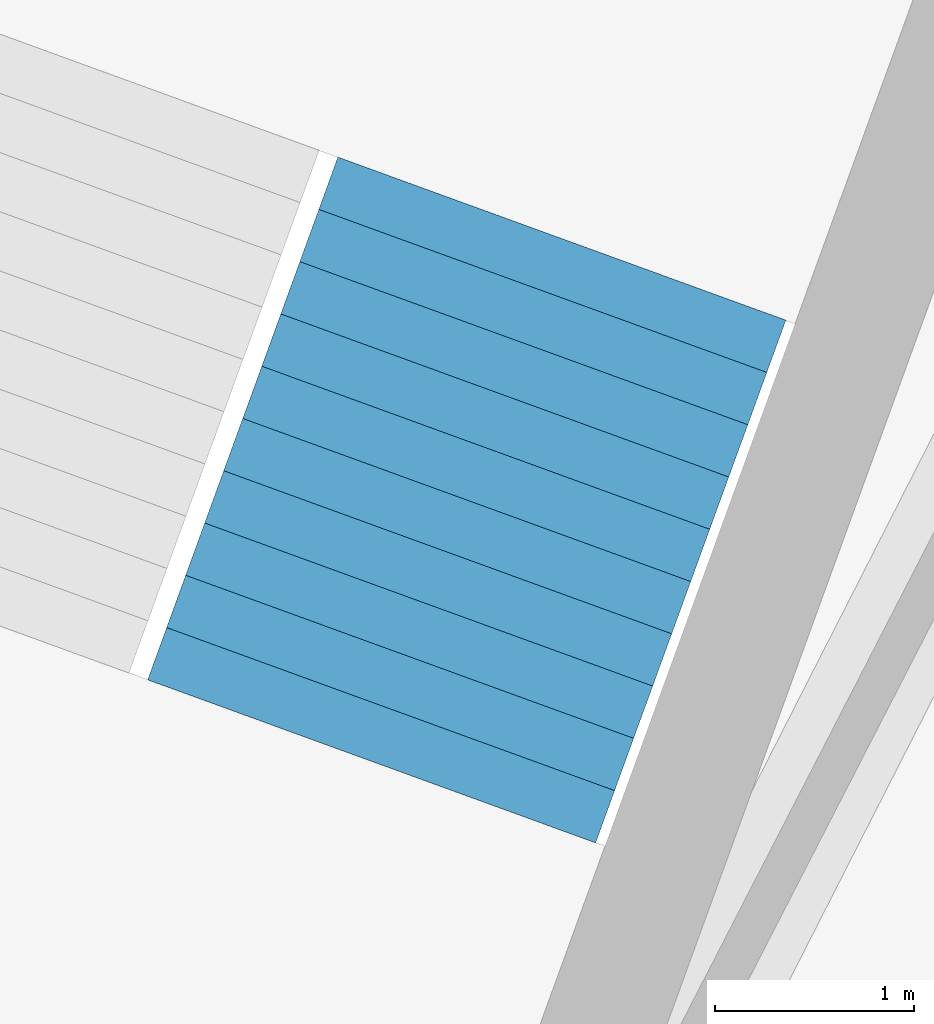
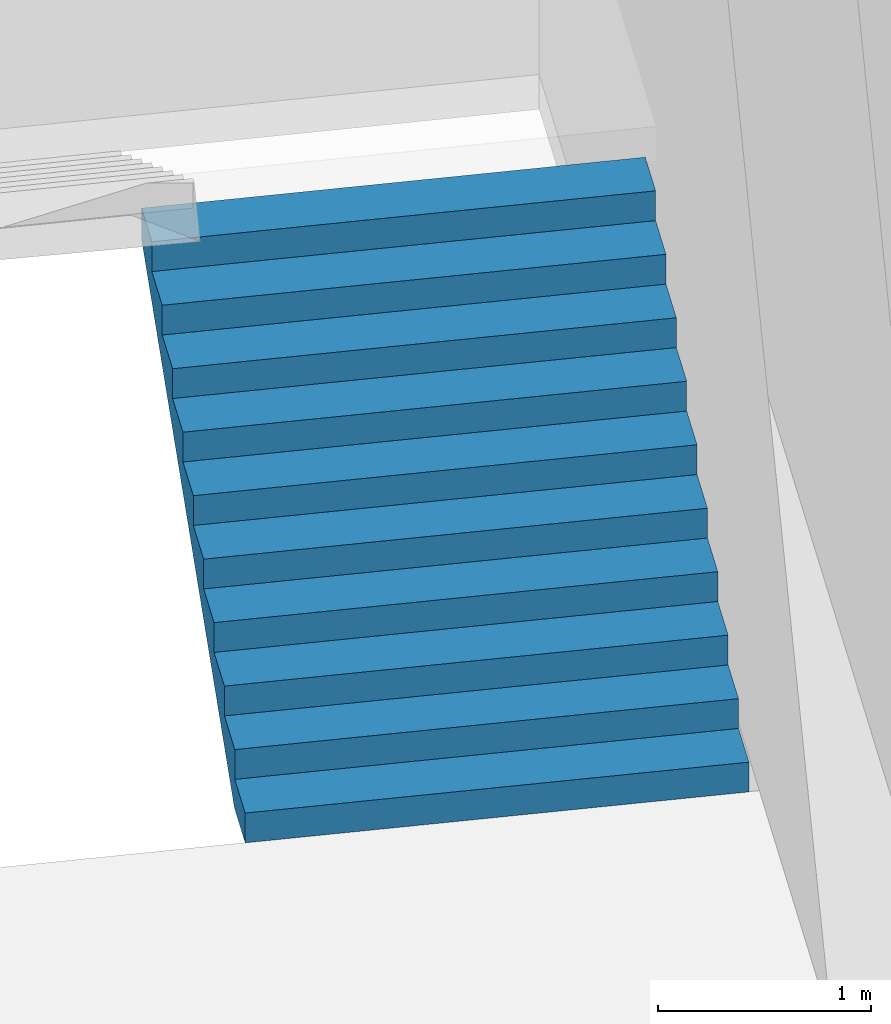
# One storey, part 45 of 73: 1 stair flight, 1 element without a shape of its own.
"""IFC4 building model written with IfcOpenShell, lengths in metres."""

from ifc_helpers import new_model, si_unit, direction, frame, origin, place, context, subcontext, project, spatial, triangles, material, type_object, element, aggregate, save


model = new_model("IFC4")

# Units and contexts
model_context = context("Model", 3, precision=1e-05, world=origin(), true_north=direction((0.0, 1.0)))
body_context = subcontext(model_context, "Body", "Model", "MODEL_VIEW")
ifc_project = project(units=[si_unit("LENGTHUNIT", "METRE"), si_unit("AREAUNIT", "SQUARE_METRE"), si_unit("VOLUMEUNIT", "CUBIC_METRE"), si_unit("PLANEANGLEUNIT", "RADIAN"), si_unit("MASSUNIT", "GRAM", prefix="KILO")], contexts=[model_context])

# Site, building, storey
site_placement = place(None, origin())
site = spatial("IfcSite", under=ifc_project, at=site_placement, CompositionType="ELEMENT")
building_placement = place(site_placement, origin())
building = spatial("IfcBuilding", under=site, at=building_placement, Name="Lantaw Convention Tower", CompositionType="ELEMENT")
storey_placement = place(building_placement, frame((0.0, 0.0, 14.5)))
storey = spatial("IfcBuildingStorey", under=building, at=storey_placement, Name="L02", CompositionType="ELEMENT", Elevation=14.5)

# Stair, stair flight
ifc_material = material(Name="Concrete C35/45", Category="concrete")
stair_type = type_object("IfcStairType", Name="Exit stair 2400 riser 170.45 in 4 flights", PredefinedType="HALF_TURN_STAIR", material=ifc_material)
stair_placement = place(storey_placement, origin())
stair = element("IfcStair", 1, at=stair_placement, inside=storey, type_object=stair_type, Name="Podium exit stair P5 L02", PredefinedType="HALF_TURN_STAIR")
stair_flight_type = type_object("IfcStairFlightType", Name="Stair flight 2400 riser 170.45", PredefinedType="STRAIGHT", material=ifc_material)
stair_flight_placement = place(storey_placement, frame((10.476318359375, 25.128662109375, 0.0), z_axis=(0.0, 0.0, 1.0), x_axis=(0.342020143326, 0.939692620786, 0.0)))
stair_flight = element("IfcStairFlight", 2, at=stair_flight_placement, type_object=stair_flight_type, Name="P5 flight 1", NumberOfRisers=11, NumberOfTreads=10, PredefinedType="STRAIGHT", RiserHeight=0.170454545, TreadLength=0.28, context=body_context, shape_type="Tessellation", body=[
    triangles([(0.0, 1.199951171875, 0.0), (0.0, 1.199951171875, 0.170454545), (0.28, 1.199951171875, 0.0), (0.28, 1.199951171875, 0.170454545), (0.28, 1.199951171875, 0.34090909), (0.28827876332691904, 1.199951171875, 0.0), (0.28827876332691904, 1.199951171875, 0.34090909), (0.56, 1.199951171875, 0.16541471344266906), (0.56, 1.199951171875, 0.34090909), (0.56, 1.199951171875, 0.511363635), (0.8400000000000001, 1.199951171875, 0.335869258442669), (0.8400000000000001, 1.199951171875, 0.511363635), (0.8400000000000001, 1.199951171875, 0.68181818), (1.12, 1.199951171875, 0.506323803442669), (1.12, 1.199951171875, 0.68181818), (1.12, 1.199951171875, 0.8522727250000001), (1.4000000000000001, 1.199951171875, 0.676778348442669), (1.4000000000000001, 1.199951171875, 0.8522727250000001), (1.4000000000000001, 1.199951171875, 1.02272727), (1.6800000000000002, 1.199951171875, 0.847232893442669), (1.6800000000000002, 1.199951171875, 1.02272727), (1.6800000000000002, 1.199951171875, 1.193181815), (1.9600000000000002, 1.199951171875, 1.017687438442669), (1.9600000000000002, 1.199951171875, 1.193181815), (1.9600000000000002, 1.199951171875, 1.36363636), (2.24, 1.199951171875, 1.188141983442669), (2.24, 1.199951171875, 1.36363636), (2.24, 1.199951171875, 1.5340909050000002), (2.5200000000000005, 1.199951171875, 1.358596528442669), (2.5200000000000005, 1.199951171875, 1.5340909050000002), (2.5200000000000005, 1.199951171875, 1.7045454500000001), (2.8000000000000003, 1.199951171875, 1.529051073442669), (2.8000000000000003, 1.199951171875, 1.7045454500000001), (0.0, -1.199951171875, 0.0), (0.0, -1.199951171875, 0.170454545), (0.28, -1.199951171875, 0.0), (0.28, -1.199951171875, 0.170454545), (0.28, -1.199951171875, 0.34090909), (0.28827876332691904, -1.199951171875, 0.0), (0.28827876332691904, -1.199951171875, 0.34090909), (0.56, -1.199951171875, 0.16541471344266906), (0.56, -1.199951171875, 0.34090909), (0.56, -1.199951171875, 0.511363635), (0.8400000000000001, -1.199951171875, 0.335869258442669), (0.8400000000000001, -1.199951171875, 0.511363635), (0.8400000000000001, -1.199951171875, 0.68181818), (1.12, -1.199951171875, 0.506323803442669), (1.12, -1.199951171875, 0.68181818), (1.12, -1.199951171875, 0.8522727250000001), (1.4000000000000001, -1.199951171875, 0.676778348442669), (1.4000000000000001, -1.199951171875, 0.8522727250000001), (1.4000000000000001, -1.199951171875, 1.02272727), (1.6800000000000002, -1.199951171875, 0.847232893442669), (1.6800000000000002, -1.199951171875, 1.02272727), (1.6800000000000002, -1.199951171875, 1.193181815), (1.9600000000000002, -1.199951171875, 1.017687438442669), (1.9600000000000002, -1.199951171875, 1.193181815), (1.9600000000000002, -1.199951171875, 1.36363636), (2.24, -1.199951171875, 1.188141983442669), (2.24, -1.199951171875, 1.36363636), (2.24, -1.199951171875, 1.5340909050000002), (2.5200000000000005, -1.199951171875, 1.358596528442669), (2.5200000000000005, -1.199951171875, 1.5340909050000002), (2.5200000000000005, -1.199951171875, 1.7045454500000001), (2.8000000000000003, -1.199951171875, 1.529051073442669), (2.8000000000000003, -1.199951171875, 1.7045454500000001), (0.0, 0.239990234375, 0.170454545), (0.0, 0.239990234375, 0.0), (0.0, 0.1199951171875, 0.170454545), (0.0, 0.1199951171875, 0.0), (0.0, 0.0, 0.170454545), (0.0, 0.0, 0.0), (0.0, -0.1199951171875, 0.170454545), (0.0, -0.1199951171875, 0.0), (0.0, -0.239990234375, 0.170454545), (0.0, -0.239990234375, 0.0), (0.28, 0.239990234375, 0.34090909), (0.28, 0.239990234375, 0.170454545), (0.28, 0.1199951171875, 0.34090909), (0.28, 0.1199951171875, 0.170454545), (0.28, 0.0, 0.34090909), (0.28, 0.0, 0.170454545), (0.28, -0.1199951171875, 0.34090909), (0.28, -0.1199951171875, 0.170454545), (0.28, -0.239990234375, 0.34090909), (0.28, -0.239990234375, 0.170454545), (0.56, 0.239990234375, 0.511363635), (0.56, 0.239990234375, 0.34090909), (0.56, 0.1199951171875, 0.511363635), (0.56, 0.1199951171875, 0.34090909), (0.56, 0.0, 0.511363635), (0.56, 0.0, 0.34090909), (0.56, -0.1199951171875, 0.511363635), (0.56, -0.1199951171875, 0.34090909), (0.56, -0.239990234375, 0.511363635), (0.56, -0.239990234375, 0.34090909), (0.8400000000000001, 0.239990234375, 0.68181818), (0.8400000000000001, 0.239990234375, 0.511363635), (0.8400000000000001, 0.1199951171875, 0.68181818), (0.8400000000000001, 0.1199951171875, 0.511363635), (0.8400000000000001, 0.0, 0.68181818), (0.8400000000000001, 0.0, 0.511363635), (0.8400000000000001, -0.1199951171875, 0.68181818), (0.8400000000000001, -0.1199951171875, 0.511363635), (0.8400000000000001, -0.239990234375, 0.68181818), (0.8400000000000001, -0.239990234375, 0.511363635), (1.12, 0.239990234375, 0.8522727250000001), (1.12, 0.239990234375, 0.68181818), (1.12, 0.1199951171875, 0.8522727250000001), (1.12, 0.1199951171875, 0.68181818), (1.12, 0.0, 0.8522727250000001), (1.12, 0.0, 0.68181818), (1.12, -0.1199951171875, 0.8522727250000001), (1.12, -0.1199951171875, 0.68181818), (1.12, -0.239990234375, 0.8522727250000001), (1.12, -0.239990234375, 0.68181818), (1.4000000000000001, 0.239990234375, 1.02272727), (1.4000000000000001, 0.239990234375, 0.8522727250000001), (1.4000000000000001, 0.1199951171875, 1.02272727), (1.4000000000000001, 0.1199951171875, 0.8522727250000001), (1.4000000000000001, 0.0, 1.02272727), (1.4000000000000001, 0.0, 0.8522727250000001), (1.4000000000000001, -0.1199951171875, 1.02272727), (1.4000000000000001, -0.1199951171875, 0.8522727250000001), (1.4000000000000001, -0.239990234375, 1.02272727), (1.4000000000000001, -0.239990234375, 0.8522727250000001), (1.6800000000000002, 0.239990234375, 1.193181815), (1.6800000000000002, 0.239990234375, 1.02272727), (1.6800000000000002, 0.1199951171875, 1.193181815), (1.6800000000000002, 0.1199951171875, 1.02272727), (1.6800000000000002, 0.0, 1.193181815), (1.6800000000000002, 0.0, 1.02272727), (1.6800000000000002, -0.1199951171875, 1.193181815), (1.6800000000000002, -0.1199951171875, 1.02272727), (1.6800000000000002, -0.239990234375, 1.193181815), (1.6800000000000002, -0.239990234375, 1.02272727), (1.9600000000000002, 0.239990234375, 1.36363636), (1.9600000000000002, 0.239990234375, 1.193181815), (1.9600000000000002, 0.1199951171875, 1.36363636), (1.9600000000000002, 0.1199951171875, 1.193181815), (1.9600000000000002, 0.0, 1.36363636), (1.9600000000000002, 0.0, 1.193181815), (1.9600000000000002, -0.1199951171875, 1.36363636), (1.9600000000000002, -0.1199951171875, 1.193181815), (1.9600000000000002, -0.239990234375, 1.36363636), (1.9600000000000002, -0.239990234375, 1.193181815), (2.24, 0.239990234375, 1.5340909050000002), (2.24, 0.239990234375, 1.36363636), (2.24, 0.1199951171875, 1.5340909050000002), (2.24, 0.1199951171875, 1.36363636), (2.24, 0.0, 1.5340909050000002), (2.24, 0.0, 1.36363636), (2.24, -0.1199951171875, 1.5340909050000002), (2.24, -0.1199951171875, 1.36363636), (2.24, -0.239990234375, 1.5340909050000002), (2.24, -0.239990234375, 1.36363636), (2.5200000000000005, 0.239990234375, 1.7045454500000001), (2.5200000000000005, 0.239990234375, 1.5340909050000002), (2.5200000000000005, 0.1199951171875, 1.7045454500000001), (2.5200000000000005, 0.1199951171875, 1.5340909050000002), (2.5200000000000005, 0.0, 1.7045454500000001), (2.5200000000000005, 0.0, 1.5340909050000002), (2.5200000000000005, -0.1199951171875, 1.7045454500000001), (2.5200000000000005, -0.1199951171875, 1.5340909050000002), (2.5200000000000005, -0.239990234375, 1.7045454500000001), (2.5200000000000005, -0.239990234375, 1.5340909050000002), (0.28827876332691904, 0.239990234375, 0.34090909), (0.28827876332691904, 0.1199951171875, 0.34090909), (0.28827876332691904, 0.0, 0.34090909), (0.28827876332691904, -0.1199951171875, 0.34090909), (0.28827876332691904, -0.239990234375, 0.34090909), (2.8000000000000003, 0.239990234375, 1.7045454500000001), (2.8000000000000003, 0.1199951171875, 1.7045454500000001), (2.8000000000000003, 0.0, 1.7045454500000001), (2.8000000000000003, -0.1199951171875, 1.7045454500000001), (2.8000000000000003, -0.239990234375, 1.7045454500000001), (2.8000000000000003, 0.239990234375, 1.5290510734426692), (2.8000000000000003, 0.1199951171875, 1.5290510734426692), (2.8000000000000003, 0.0, 1.5290510734426692), (2.8000000000000003, -0.1199951171875, 1.5290510734426692), (2.8000000000000003, -0.239990234375, 1.5290510734426692), (2.5200000000000005, 0.239990234375, 1.358596528442669), (2.5200000000000005, 0.1199951171875, 1.358596528442669), (2.5200000000000005, 0.0, 1.358596528442669), (2.5200000000000005, -0.1199951171875, 1.358596528442669), (2.5200000000000005, -0.239990234375, 1.358596528442669), (2.24, 0.239990234375, 1.188141983442669), (2.24, 0.1199951171875, 1.188141983442669), (2.24, 0.0, 1.188141983442669), (2.24, -0.1199951171875, 1.188141983442669), (2.24, -0.239990234375, 1.188141983442669), (1.9600000000000002, 0.239990234375, 1.017687438442669), (1.9600000000000002, 0.1199951171875, 1.017687438442669), (1.9600000000000002, 0.0, 1.017687438442669), (1.9600000000000002, -0.1199951171875, 1.017687438442669), (1.9600000000000002, -0.239990234375, 1.017687438442669), (1.6800000000000002, 0.239990234375, 0.847232893442669), (1.6800000000000002, 0.1199951171875, 0.847232893442669), (1.6800000000000002, 0.0, 0.847232893442669), (1.6800000000000002, -0.1199951171875, 0.847232893442669), (1.6800000000000002, -0.239990234375, 0.847232893442669), (1.4000000000000001, 0.239990234375, 0.676778348442669), (1.4000000000000001, 0.1199951171875, 0.676778348442669), (1.4000000000000001, 0.0, 0.676778348442669), (1.4000000000000001, -0.1199951171875, 0.676778348442669), (1.4000000000000001, -0.239990234375, 0.676778348442669), (1.12, 0.239990234375, 0.506323803442669), (1.12, 0.1199951171875, 0.506323803442669), (1.12, 0.0, 0.506323803442669), (1.12, -0.1199951171875, 0.506323803442669), (1.12, -0.239990234375, 0.506323803442669), (0.8400000000000001, 0.239990234375, 0.335869258442669), (0.8400000000000001, 0.1199951171875, 0.335869258442669), (0.8400000000000001, 0.0, 0.335869258442669), (0.8400000000000001, -0.1199951171875, 0.335869258442669), (0.8400000000000001, -0.239990234375, 0.335869258442669), (0.56, 0.239990234375, 0.16541471344266906), (0.56, 0.1199951171875, 0.16541471344266906), (0.56, 0.0, 0.16541471344266906), (0.56, -0.1199951171875, 0.16541471344266906), (0.56, -0.239990234375, 0.16541471344266906), (0.28827876332691904, 0.239990234375, 0.0), (0.28827876332691904, 0.1199951171875, 0.0), (0.28827876332691904, 0.0, 0.0), (0.28827876332691904, -0.1199951171875, 0.0), (0.28827876332691904, -0.239990234375, 0.0), (0.28, 0.239990234375, 0.0), (0.28, 0.1199951171875, 0.0), (0.28, 0.0, 0.0), (0.28, -0.1199951171875, 0.0), (0.28, -0.239990234375, 0.0)], [[1, 4, 3], [1, 2, 4], [3, 4, 6], [4, 7, 6], [4, 5, 7], [6, 9, 8], [6, 7, 9], [8, 9, 11], [9, 12, 11], [9, 10, 12], [11, 12, 14], [12, 15, 14], [12, 13, 15], [14, 15, 17], [15, 18, 17], [15, 16, 18], [17, 18, 20], [18, 21, 20], [18, 19, 21], [20, 21, 23], [21, 24, 23], [21, 22, 24], [23, 24, 26], [24, 27, 26], [24, 25, 27], [26, 27, 29], [27, 30, 29], [27, 28, 30], [29, 30, 32], [30, 33, 32], [30, 31, 33], [34, 36, 37], [34, 37, 35], [36, 39, 37], [37, 39, 40], [37, 40, 38], [39, 41, 42], [39, 42, 40], [41, 44, 42], [42, 44, 45], [42, 45, 43], [44, 47, 45], [45, 47, 48], [45, 48, 46], [47, 50, 48], [48, 50, 51], [48, 51, 49], [50, 53, 51], [51, 53, 54], [51, 54, 52], [53, 56, 54], [54, 56, 57], [54, 57, 55], [56, 59, 57], [57, 59, 60], [57, 60, 58], [59, 62, 60], [60, 62, 63], [60, 63, 61], [62, 65, 63], [63, 65, 66], [63, 66, 64], [1, 67, 2], [1, 68, 67], [68, 69, 67], [68, 70, 69], [70, 71, 69], [70, 72, 71], [72, 73, 71], [72, 74, 73], [74, 75, 73], [74, 76, 75], [76, 35, 75], [76, 34, 35], [4, 77, 5], [4, 78, 77], [78, 79, 77], [78, 80, 79], [80, 81, 79], [80, 82, 81], [82, 83, 81], [82, 84, 83], [84, 85, 83], [84, 86, 85], [86, 38, 85], [86, 37, 38], [9, 87, 10], [9, 88, 87], [88, 89, 87], [88, 90, 89], [90, 91, 89], [90, 92, 91], [92, 93, 91], [92, 94, 93], [94, 95, 93], [94, 96, 95], [96, 43, 95], [96, 42, 43], [12, 97, 13], [12, 98, 97], [98, 99, 97], [98, 100, 99], [100, 101, 99], [100, 102, 101], [102, 103, 101], [102, 104, 103], [104, 105, 103], [104, 106, 105], [106, 46, 105], [106, 45, 46], [15, 107, 16], [15, 108, 107], [108, 109, 107], [108, 110, 109], [110, 111, 109], [110, 112, 111], [112, 113, 111], [112, 114, 113], [114, 115, 113], [114, 116, 115], [116, 49, 115], [116, 48, 49], [18, 117, 19], [18, 118, 117], [118, 119, 117], [118, 120, 119], [120, 121, 119], [120, 122, 121], [122, 123, 121], [122, 124, 123], [124, 125, 123], [124, 126, 125], [126, 52, 125], [126, 51, 52], [21, 127, 22], [21, 128, 127], [128, 129, 127], [128, 130, 129], [130, 131, 129], [130, 132, 131], [132, 133, 131], [132, 134, 133], [134, 135, 133], [134, 136, 135], [136, 55, 135], [136, 54, 55], [24, 137, 25], [24, 138, 137], [138, 139, 137], [138, 140, 139], [140, 141, 139], [140, 142, 141], [142, 143, 141], [142, 144, 143], [144, 145, 143], [144, 146, 145], [146, 58, 145], [146, 57, 58], [27, 147, 28], [27, 148, 147], [148, 149, 147], [148, 150, 149], [150, 151, 149], [150, 152, 151], [152, 153, 151], [152, 154, 153], [154, 155, 153], [154, 156, 155], [156, 61, 155], [156, 60, 61], [30, 157, 31], [30, 158, 157], [158, 159, 157], [158, 160, 159], [160, 161, 159], [160, 162, 161], [162, 163, 161], [162, 164, 163], [164, 165, 163], [164, 166, 165], [166, 64, 165], [166, 63, 64], [2, 78, 4], [2, 67, 78], [67, 80, 78], [67, 69, 80], [69, 82, 80], [69, 71, 82], [71, 84, 82], [71, 73, 84], [73, 86, 84], [73, 75, 86], [75, 37, 86], [75, 35, 37], [5, 167, 7], [5, 77, 167], [77, 168, 167], [77, 79, 168], [79, 169, 168], [79, 81, 169], [81, 170, 169], [81, 83, 170], [83, 171, 170], [83, 85, 171], [85, 40, 171], [85, 38, 40], [7, 88, 9], [7, 167, 88], [167, 90, 88], [167, 168, 90], [168, 92, 90], [168, 169, 92], [169, 94, 92], [169, 170, 94], [170, 96, 94], [170, 171, 96], [171, 42, 96], [171, 40, 42], [10, 98, 12], [10, 87, 98], [87, 100, 98], [87, 89, 100], [89, 102, 100], [89, 91, 102], [91, 104, 102], [91, 93, 104], [93, 106, 104], [93, 95, 106], [95, 45, 106], [95, 43, 45], [13, 108, 15], [13, 97, 108], [97, 110, 108], [97, 99, 110], [99, 112, 110], [99, 101, 112], [101, 114, 112], [101, 103, 114], [103, 116, 114], [103, 105, 116], [105, 48, 116], [105, 46, 48], [16, 118, 18], [16, 107, 118], [107, 120, 118], [107, 109, 120], [109, 122, 120], [109, 111, 122], [111, 124, 122], [111, 113, 124], [113, 126, 124], [113, 115, 126], [115, 51, 126], [115, 49, 51], [19, 128, 21], [19, 117, 128], [117, 130, 128], [117, 119, 130], [119, 132, 130], [119, 121, 132], [121, 134, 132], [121, 123, 134], [123, 136, 134], [123, 125, 136], [125, 54, 136], [125, 52, 54], [22, 138, 24], [22, 127, 138], [127, 140, 138], [127, 129, 140], [129, 142, 140], [129, 131, 142], [131, 144, 142], [131, 133, 144], [133, 146, 144], [133, 135, 146], [135, 57, 146], [135, 55, 57], [25, 148, 27], [25, 137, 148], [137, 150, 148], [137, 139, 150], [139, 152, 150], [139, 141, 152], [141, 154, 152], [141, 143, 154], [143, 156, 154], [143, 145, 156], [145, 60, 156], [145, 58, 60], [28, 158, 30], [28, 147, 158], [147, 160, 158], [147, 149, 160], [149, 162, 160], [149, 151, 162], [151, 164, 162], [151, 153, 164], [153, 166, 164], [153, 155, 166], [155, 63, 166], [155, 61, 63], [31, 172, 33], [31, 157, 172], [157, 173, 172], [157, 159, 173], [159, 174, 173], [159, 161, 174], [161, 175, 174], [161, 163, 175], [163, 176, 175], [163, 165, 176], [165, 66, 176], [165, 64, 66], [33, 177, 32], [33, 172, 177], [172, 178, 177], [172, 173, 178], [173, 179, 178], [173, 174, 179], [174, 180, 179], [174, 175, 180], [175, 181, 180], [175, 176, 181], [176, 65, 181], [176, 66, 65], [32, 182, 29], [32, 177, 182], [177, 183, 182], [177, 178, 183], [178, 184, 183], [178, 179, 184], [179, 185, 184], [179, 180, 185], [180, 186, 185], [180, 181, 186], [181, 62, 186], [181, 65, 62], [29, 187, 26], [29, 182, 187], [182, 188, 187], [182, 183, 188], [183, 189, 188], [183, 184, 189], [184, 190, 189], [184, 185, 190], [185, 191, 190], [185, 186, 191], [186, 59, 191], [186, 62, 59], [26, 192, 23], [26, 187, 192], [187, 193, 192], [187, 188, 193], [188, 194, 193], [188, 189, 194], [189, 195, 194], [189, 190, 195], [190, 196, 195], [190, 191, 196], [191, 56, 196], [191, 59, 56], [23, 197, 20], [23, 192, 197], [192, 198, 197], [192, 193, 198], [193, 199, 198], [193, 194, 199], [194, 200, 199], [194, 195, 200], [195, 201, 200], [195, 196, 201], [196, 53, 201], [196, 56, 53], [20, 202, 17], [20, 197, 202], [197, 203, 202], [197, 198, 203], [198, 204, 203], [198, 199, 204], [199, 205, 204], [199, 200, 205], [200, 206, 205], [200, 201, 206], [201, 50, 206], [201, 53, 50], [17, 207, 14], [17, 202, 207], [202, 208, 207], [202, 203, 208], [203, 209, 208], [203, 204, 209], [204, 210, 209], [204, 205, 210], [205, 211, 210], [205, 206, 211], [206, 47, 211], [206, 50, 47], [14, 212, 11], [14, 207, 212], [207, 213, 212], [207, 208, 213], [208, 214, 213], [208, 209, 214], [209, 215, 214], [209, 210, 215], [210, 216, 215], [210, 211, 216], [211, 44, 216], [211, 47, 44], [11, 217, 8], [11, 212, 217], [212, 218, 217], [212, 213, 218], [213, 219, 218], [213, 214, 219], [214, 220, 219], [214, 215, 220], [215, 221, 220], [215, 216, 221], [216, 41, 221], [216, 44, 41], [8, 222, 6], [8, 217, 222], [217, 223, 222], [217, 218, 223], [218, 224, 223], [218, 219, 224], [219, 225, 224], [219, 220, 225], [220, 226, 225], [220, 221, 226], [221, 39, 226], [221, 41, 39], [6, 227, 3], [6, 222, 227], [222, 228, 227], [222, 223, 228], [223, 229, 228], [223, 224, 229], [224, 230, 229], [224, 225, 230], [225, 231, 230], [225, 226, 231], [226, 36, 231], [226, 39, 36], [3, 68, 1], [3, 227, 68], [227, 70, 68], [227, 228, 70], [228, 72, 70], [228, 229, 72], [229, 74, 72], [229, 230, 74], [230, 76, 74], [230, 231, 76], [231, 34, 76], [231, 36, 34]], closed=True),
])
aggregate(stair, [stair_flight])

save(model, "model.ifc")
